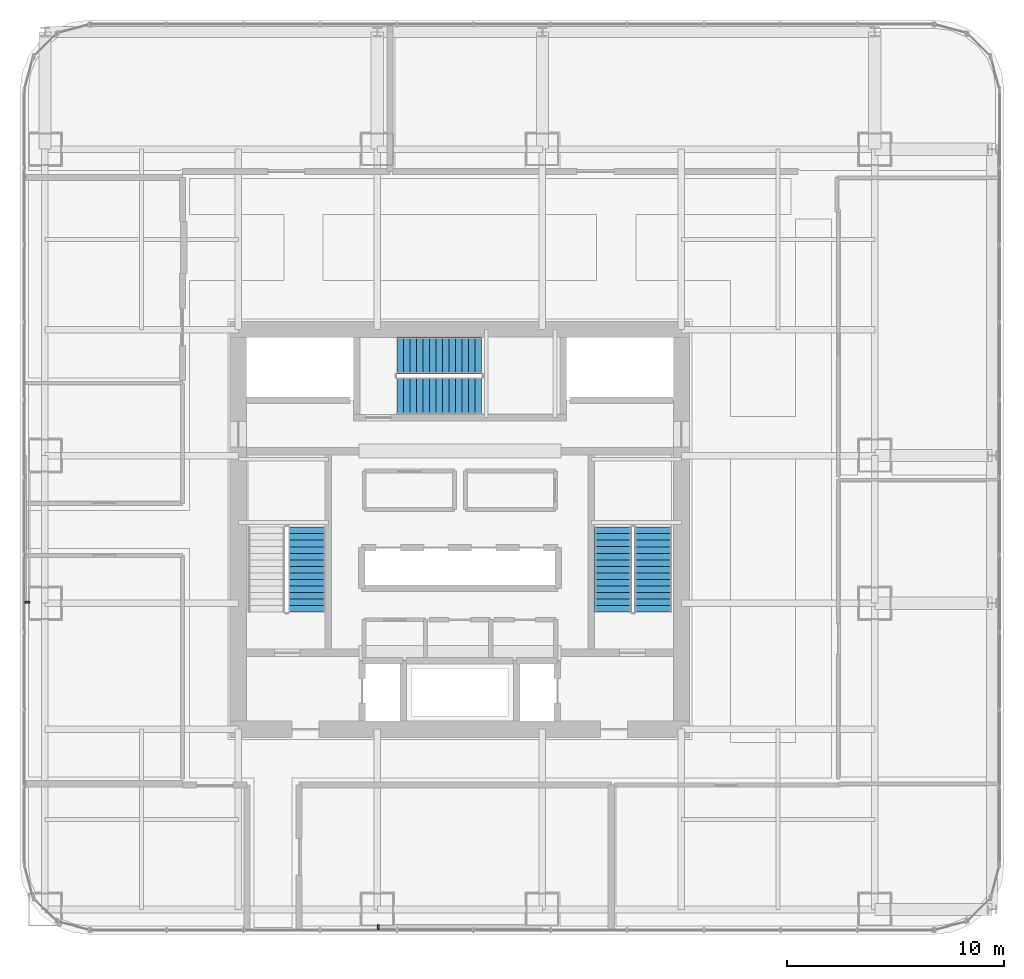
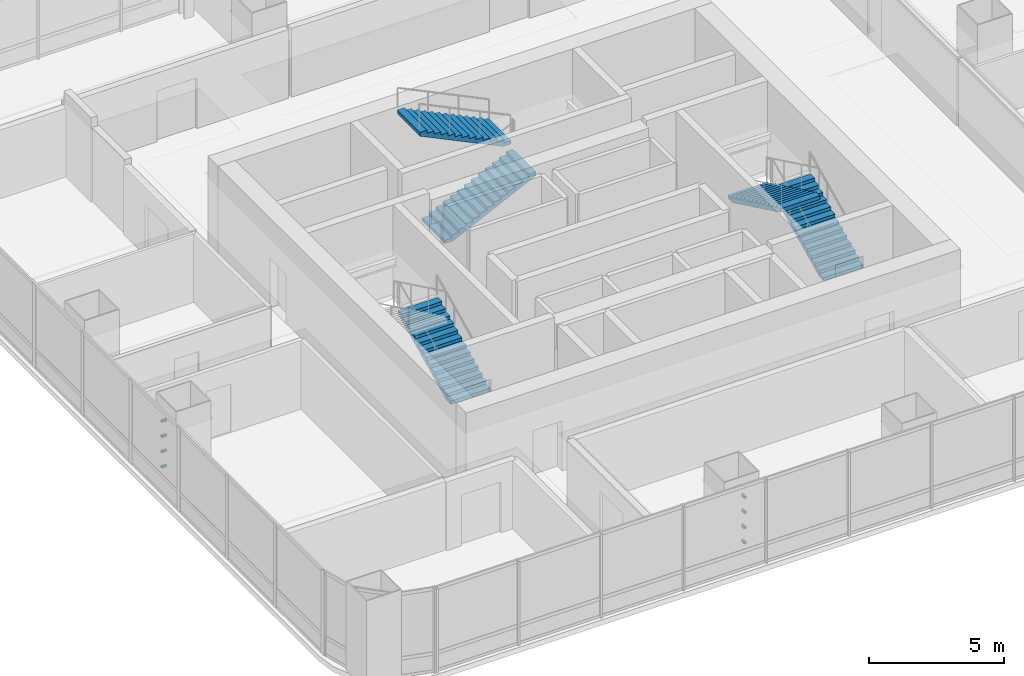
# One storey, part 29 of 34: 8 discrete accessories, 5 stair flights, 3 elements without a shape of their own.
"""IFC4 building model written with IfcOpenShell, lengths in metres."""

from ifc_helpers import new_model, si_unit, direction, frame, origin, origin_2d, place, context, subcontext, project, spatial, polyline, rectangle, outline, extrude, material, type_object, element, aggregate, save


model = new_model("IFC4")

# Units and contexts
model_context = context("Model", 3, precision=1e-05, world=origin(), true_north=direction((0.0, 1.0)))
body_context = subcontext(model_context, "Body", "Model", "MODEL_VIEW")
ifc_project = project(units=[si_unit("LENGTHUNIT", "METRE"), si_unit("AREAUNIT", "SQUARE_METRE"), si_unit("VOLUMEUNIT", "CUBIC_METRE"), si_unit("PLANEANGLEUNIT", "RADIAN"), si_unit("MASSUNIT", "GRAM", prefix="KILO")], contexts=[model_context])

# Site, building, storey
site_placement = place(None, origin())
site = spatial("IfcSite", under=ifc_project, at=site_placement, CompositionType="ELEMENT")
building_placement = place(site_placement, origin())
building = spatial("IfcBuilding", under=site, at=building_placement, Name="Punatoya Terracotta Tower", CompositionType="ELEMENT")
storey_placement = place(building_placement, frame((0.0, 0.0, 101.10009765625)))
storey = spatial("IfcBuildingStorey", under=building, at=storey_placement, Name="L23", CompositionType="ELEMENT", Elevation=101.10009765625)

# Stair, stair flight
ifc_material_1 = material(Name="Concrete C40/50", Category="concrete")
stair_type_1 = type_object("IfcStairType", Name="STR-CORE-1550", PredefinedType="HALF_TURN_STAIR", material=ifc_material_1)
stair_1_placement = place(storey_placement, origin())
stair_1 = element("IfcStair", 1, at=stair_1_placement, inside=storey, type_object=stair_type_1, Name="L23 Protected Core Exit Stair ST-1", PredefinedType="HALF_TURN_STAIR")
stair_flight_type_1 = type_object("IfcStairFlightType", Name="SFL-CORE-1550", PredefinedType="STRAIGHT", material=ifc_material_1)
stair_flight_1_placement = place(storey_placement, frame((-7.050048828125, -3.800048828125, 0.0), z_axis=(0.0, 0.0, 1.0), x_axis=(0.0, 1.0, 0.0)))
stair_flight_1 = element("IfcStairFlight", 2, at=stair_flight_1_placement, type_object=stair_flight_type_1, Name="ST-1 flight 1", NumberOfRisers=14, NumberOfTreads=13, PredefinedType="STRAIGHT", RiserHeight=0.144642857, TreadLength=0.3, context=body_context, shape_type="SweptSolid", body=[
    extrude(outline(polyline([(0.0, 0.0), (0.0, 0.14453125), (0.300048828125, 0.14453125), (0.300048828125, 0.289306640625), (0.60009765625, 0.289306640625), (0.60009765625, 0.433837890625), (0.89990234375, 0.433837890625), (0.89990234375, 0.57861328125), (1.199951171875, 0.57861328125), (1.199951171875, 0.72314453125), (1.5, 0.72314453125), (1.5, 0.867919921875), (1.800048828125, 0.867919921875), (1.800048828125, 1.012451171875), (2.10009765625, 1.012451171875), (2.10009765625, 1.1572265625), (2.39990234375, 1.1572265625), (2.39990234375, 1.3017578125), (2.699951171875, 1.3017578125), (2.699951171875, 1.446533203125), (3.0, 1.446533203125), (3.0, 1.591064453125), (3.300048828125, 1.591064453125), (3.300048828125, 1.735595703125), (3.60009765625, 1.735595703125), (3.60009765625, 1.88037109375), (3.89990234375, 1.88037109375), (3.89990234375, 2.02490234375), (3.89990234375, 1.7138671875), (0.34521484375, 0.0), (0.0, 0.0)])), frame((0.0, 0.85009765625, 0.0), z_axis=(0.0, -1.0, 0.0), x_axis=(1.0, 0.0, 0.0)), (0.0, 0.0, 1.0), 1.699951171875),
])
aggregate(stair_1, [stair_flight_1])

# Stair, stair flights
stair_type_2 = type_object("IfcStairType", Name="STR-LOB-1650", PredefinedType="HALF_TURN_STAIR", material=ifc_material_1)
stair_2_placement = place(storey_placement, origin())
stair_2 = element("IfcStair", 3, at=stair_2_placement, inside=storey, type_object=stair_type_2, Name="L23 Protected Core Exit Stair ST-2", PredefinedType="HALF_TURN_STAIR")
stair_flight_type_2 = type_object("IfcStairFlightType", Name="SFL-LOB-1650", PredefinedType="STRAIGHT", material=ifc_material_1)
stair_flight_2_placement = place(storey_placement, frame((8.89990234375, -3.800048828125, 0.0), z_axis=(0.0, 0.0, 1.0), x_axis=(0.0, 1.0, 0.0)))
stair_flight_2 = element("IfcStairFlight", 4, at=stair_flight_2_placement, type_object=stair_flight_type_2, Name="ST-2 flight 1", NumberOfRisers=14, NumberOfTreads=13, PredefinedType="STRAIGHT", RiserHeight=0.144642857, TreadLength=0.3, context=body_context, shape_type="SweptSolid", body=[
    extrude(outline(polyline([(0.0, 0.0), (0.0, 0.14453125), (0.300048828125, 0.14453125), (0.300048828125, 0.289306640625), (0.60009765625, 0.289306640625), (0.60009765625, 0.433837890625), (0.89990234375, 0.433837890625), (0.89990234375, 0.57861328125), (1.199951171875, 0.57861328125), (1.199951171875, 0.72314453125), (1.5, 0.72314453125), (1.5, 0.867919921875), (1.800048828125, 0.867919921875), (1.800048828125, 1.012451171875), (2.10009765625, 1.012451171875), (2.10009765625, 1.1572265625), (2.39990234375, 1.1572265625), (2.39990234375, 1.3017578125), (2.699951171875, 1.3017578125), (2.699951171875, 1.446533203125), (3.0, 1.446533203125), (3.0, 1.591064453125), (3.300048828125, 1.591064453125), (3.300048828125, 1.735595703125), (3.60009765625, 1.735595703125), (3.60009765625, 1.88037109375), (3.89990234375, 1.88037109375), (3.89990234375, 2.02490234375), (3.89990234375, 1.7138671875), (0.34521484375, 0.0), (0.0, 0.0)])), frame((0.0, 0.85009765625, 0.0), z_axis=(0.0, -1.0, 0.0), x_axis=(1.0, 0.0, 0.0)), (0.0, 0.0, 1.0), 1.699951171875),
])
stair_flight_3_placement = place(storey_placement, frame((7.050048828125, 0.10009765625, 2.02490234375), z_axis=(0.0, 0.0, 1.0), x_axis=(0.0, -1.0, 0.0)))
stair_flight_3 = element("IfcStairFlight", 5, at=stair_flight_3_placement, type_object=stair_flight_type_2, Name="ST-2 flight 2", NumberOfRisers=14, NumberOfTreads=13, PredefinedType="STRAIGHT", RiserHeight=0.144642857, TreadLength=0.3, context=body_context, shape_type="SweptSolid", body=[
    extrude(outline(polyline([(0.0, 0.0), (0.0, 0.14453125), (0.300048828125, 0.14453125), (0.300048828125, 0.289306640625), (0.60009765625, 0.289306640625), (0.60009765625, 0.433837890625), (0.89990234375, 0.433837890625), (0.89990234375, 0.57861328125), (1.199951171875, 0.57861328125), (1.199951171875, 0.72314453125), (1.5, 0.72314453125), (1.5, 0.867919921875), (1.800048828125, 0.867919921875), (1.800048828125, 1.012451171875), (2.10009765625, 1.012451171875), (2.10009765625, 1.1572265625), (2.39990234375, 1.1572265625), (2.39990234375, 1.3017578125), (2.699951171875, 1.3017578125), (2.699951171875, 1.446533203125), (3.0, 1.446533203125), (3.0, 1.591064453125), (3.300048828125, 1.591064453125), (3.300048828125, 1.735595703125), (3.60009765625, 1.735595703125), (3.60009765625, 1.88037109375), (3.89990234375, 1.88037109375), (3.89990234375, 2.02490234375), (3.89990234375, 1.7138671875), (0.34521484375, 0.0), (0.0, 0.0)])), frame((0.0, 0.85009765625, 0.0), z_axis=(0.0, -1.0, 0.0), x_axis=(1.0, 0.0, 0.0)), (0.0, 0.0, 1.0), 1.699951171875),
])
aggregate(stair_2, [stair_flight_2, stair_flight_3])

stair_type_3 = type_object("IfcStairType", Name="STR-TER-1450", PredefinedType="HALF_TURN_STAIR", material=ifc_material_1)
stair_3_placement = place(storey_placement, origin())
stair_3 = element("IfcStair", 6, at=stair_3_placement, inside=storey, type_object=stair_type_3, Name="L23 Protected Core Exit Stair ST-3", PredefinedType="HALF_TURN_STAIR")
stair_flight_type_3 = type_object("IfcStairFlightType", Name="SFL-TER-1450", PredefinedType="STRAIGHT", material=ifc_material_1)
stair_flight_4_placement = place(storey_placement, frame((-2.89990234375, 6.14990234375, 0.0), z_axis=(0.0, 0.0, 1.0), x_axis=(1.0, 0.0, 0.0)))
stair_flight_4 = element("IfcStairFlight", 7, at=stair_flight_4_placement, type_object=stair_flight_type_3, Name="ST-3 flight 1", NumberOfRisers=14, NumberOfTreads=13, PredefinedType="STRAIGHT", RiserHeight=0.144642857, TreadLength=0.3, context=body_context, shape_type="SweptSolid", body=[
    extrude(outline(polyline([(0.0, 0.0), (0.0, 0.14453125), (0.300048828125, 0.14453125), (0.300048828125, 0.289306640625), (0.60009765625, 0.289306640625), (0.60009765625, 0.433837890625), (0.89990234375, 0.433837890625), (0.89990234375, 0.57861328125), (1.199951171875, 0.57861328125), (1.199951171875, 0.72314453125), (1.5, 0.72314453125), (1.5, 0.867919921875), (1.800048828125, 0.867919921875), (1.800048828125, 1.012451171875), (2.10009765625, 1.012451171875), (2.10009765625, 1.1572265625), (2.39990234375, 1.1572265625), (2.39990234375, 1.3017578125), (2.699951171875, 1.3017578125), (2.699951171875, 1.446533203125), (3.0, 1.446533203125), (3.0, 1.591064453125), (3.300048828125, 1.591064453125), (3.300048828125, 1.735595703125), (3.60009765625, 1.735595703125), (3.60009765625, 1.88037109375), (3.89990234375, 1.88037109375), (3.89990234375, 2.02490234375), (3.89990234375, 1.7138671875), (0.34521484375, 0.0), (0.0, 0.0)])), frame((0.0, 0.85009765625, 0.0), z_axis=(0.0, -1.0, 0.0), x_axis=(1.0, 0.0, 0.0)), (0.0, 0.0, 1.0), 1.699951171875),
])
stair_flight_5_placement = place(storey_placement, frame((1.0, 8.0, 2.02490234375), z_axis=(0.0, 0.0, 1.0), x_axis=(-1.0, 0.0, 0.0)))
stair_flight_5 = element("IfcStairFlight", 8, at=stair_flight_5_placement, type_object=stair_flight_type_3, Name="ST-3 flight 2", NumberOfRisers=14, NumberOfTreads=13, PredefinedType="STRAIGHT", RiserHeight=0.144642857, TreadLength=0.3, context=body_context, shape_type="SweptSolid", body=[
    extrude(outline(polyline([(0.0, 0.0), (0.0, 0.14453125), (0.300048828125, 0.14453125), (0.300048828125, 0.289306640625), (0.60009765625, 0.289306640625), (0.60009765625, 0.433837890625), (0.89990234375, 0.433837890625), (0.89990234375, 0.57861328125), (1.199951171875, 0.57861328125), (1.199951171875, 0.72314453125), (1.5, 0.72314453125), (1.5, 0.867919921875), (1.800048828125, 0.867919921875), (1.800048828125, 1.012451171875), (2.10009765625, 1.012451171875), (2.10009765625, 1.1572265625), (2.39990234375, 1.1572265625), (2.39990234375, 1.3017578125), (2.699951171875, 1.3017578125), (2.699951171875, 1.446533203125), (3.0, 1.446533203125), (3.0, 1.591064453125), (3.300048828125, 1.591064453125), (3.300048828125, 1.735595703125), (3.60009765625, 1.735595703125), (3.60009765625, 1.88037109375), (3.89990234375, 1.88037109375), (3.89990234375, 2.02490234375), (3.89990234375, 1.7138671875), (0.34521484375, 0.0), (0.0, 0.0)])), frame((0.0, 0.85009765625, 0.0), z_axis=(0.0, -1.0, 0.0), x_axis=(1.0, 0.0, 0.0)), (0.0, 0.0, 1.0), 1.699951171875),
])
aggregate(stair_3, [stair_flight_4, stair_flight_5])

# Discrete accessories
ifc_material_2 = material(Name="Steel S355", Category="steel")
discrete_accessory_type = type_object("IfcDiscreteAccessoryType", Name="ACC-BRK-220", PredefinedType="BRACKET", material=ifc_material_2)
for number, where, z_axis, x_axis, name in (
    (9, (-3.75, -18.320068359375, 1.099853515625), (0.0, 0.0, 1.0), (1.0, 0.0, 0.0), "L23 Baguette Louvre Column Bracket BAG-L23-S-01"),
    (10, (-3.75, -18.320068359375, 1.78662109375), (0.0, 0.0, 1.0), (1.0, 0.0, 0.0), "L23 Baguette Louvre Column Bracket BAG-L23-S-02"),
    (11, (-3.75, -18.320068359375, 2.47314453125), (0.0, 0.0, 1.0), (1.0, 0.0, 0.0), "L23 Baguette Louvre Column Bracket BAG-L23-S-03"),
    (12, (-3.75, -18.320068359375, 3.159912109375), (0.0, 0.0, 1.0), (1.0, 0.0, 0.0), "L23 Baguette Louvre Column Bracket BAG-L23-S-04"),
    (13, (-19.919921875, -3.35009765625, 1.099853515625), (0.0, 0.0, 1.0), (0.0, 1.0, 0.0), "L23 Baguette Louvre Column Bracket BAG-L23-W-01"),
    (14, (-19.919921875, -3.35009765625, 1.78662109375), (0.0, 0.0, 1.0), (0.0, 1.0, 0.0), "L23 Baguette Louvre Column Bracket BAG-L23-W-02"),
    (15, (-19.919921875, -3.35009765625, 2.47314453125), (0.0, 0.0, 1.0), (0.0, 1.0, 0.0), "L23 Baguette Louvre Column Bracket BAG-L23-W-03"),
    (16, (-19.919921875, -3.35009765625, 3.159912109375), (0.0, 0.0, 1.0), (0.0, 1.0, 0.0), "L23 Baguette Louvre Column Bracket BAG-L23-W-04"),
):
    element("IfcDiscreteAccessory", number, at=place(storey_placement, frame(where, z_axis=z_axis, x_axis=x_axis)), inside=storey, type_object=discrete_accessory_type, Name=name, PredefinedType="BRACKET", context=body_context, shape_type="SweptSolid", body=[
        extrude(rectangle(XDim=0.090087890625, YDim=0.219970703125, at=origin_2d()), origin(), (0.0, 0.0, 1.0), 0.10009765625),
    ])

save(model, "model.ifc")
